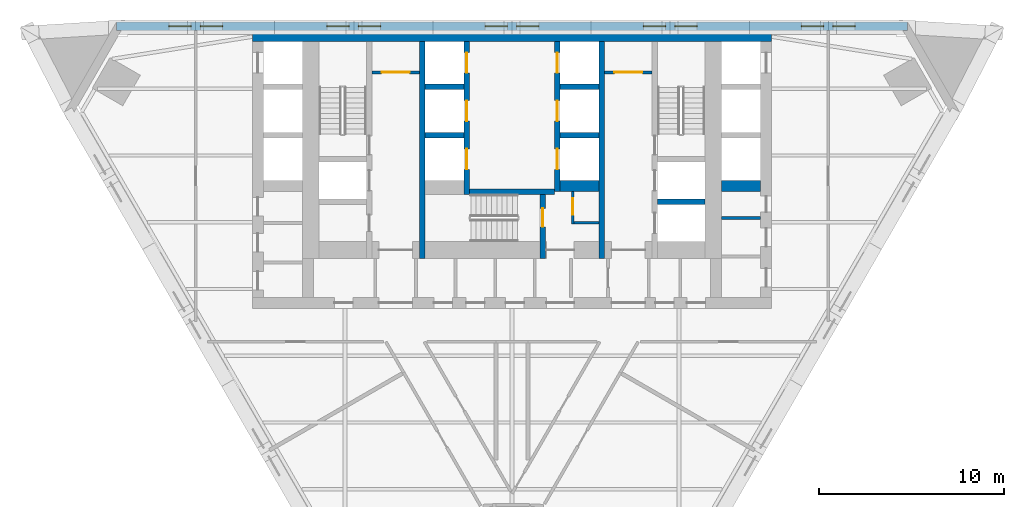
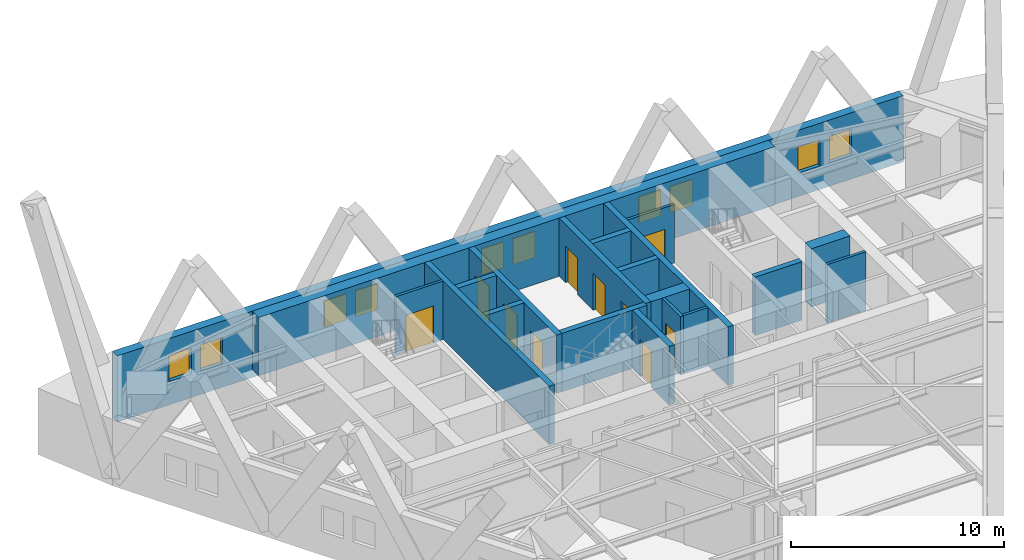
# One storey, part 5 of 7: 20 walls, 10 doors, 10 windows, 20 openings.
"""IFC4 building model written with IfcOpenShell, lengths in metres."""

from ifc_helpers import new_model, si_unit, direction, frame, frame_2d, origin, place, context, subcontext, project, spatial, polyline, rectangle, outline, extrude, material, layer, layer_set, type_object, element, fill, save


model = new_model("IFC4")

# Units and contexts
model_context = context("Model", 3, precision=1e-05, world=origin(), true_north=direction((0.0, 1.0)))
body_context = subcontext(model_context, "Body", "Model", "MODEL_VIEW")
ifc_project = project(units=[si_unit("LENGTHUNIT", "METRE"), si_unit("AREAUNIT", "SQUARE_METRE"), si_unit("VOLUMEUNIT", "CUBIC_METRE"), si_unit("PLANEANGLEUNIT", "RADIAN"), si_unit("MASSUNIT", "GRAM", prefix="KILO")], contexts=[model_context])

# Site, building, storey
site_placement = place(None, origin())
site = spatial("IfcSite", under=ifc_project, at=site_placement, CompositionType="ELEMENT")
building_placement = place(site_placement, origin())
building = spatial("IfcBuilding", under=site, at=building_placement, Name="Aloe Facet Convention Tower", CompositionType="ELEMENT")
storey_placement = place(building_placement, frame((0.0, 0.0, 81.800048828125)))
storey = spatial("IfcBuildingStorey", under=building, at=storey_placement, Name="L19", CompositionType="ELEMENT", Elevation=81.800048828125)

# Wall, opening, door
ifc_material_1 = material(Name="Concrete blockwork partition", Category="masonry")
ifc_layer_1 = layer(ifc_material_1, 0.14990234375)
ifc_layer_set_1 = layer_set([ifc_layer_1], Name="CR-W-PART150")
wall_type_1 = type_object("IfcWallType", Name="CR-W-PART150", PredefinedType="PARTITIONING", material=ifc_layer_set_1)
wall_1_placement = place(storey_placement, frame((72.449951171875, 132.27490234375, 0.0), z_axis=(0.0, 0.0, 1.0), x_axis=(1.0, 0.0, 0.0)))
wall_1 = element("IfcWall", 1, at=wall_1_placement, inside=storey, type_object=wall_type_1, Name="Core partition L19-015", PredefinedType="PARTITIONING", context=body_context, shape_type="SweptSolid", body=[
    extrude(rectangle(XDim=2.550048828125, YDim=0.14990234375, at=frame_2d((1.27490234375, 0.0))), origin(), (0.0, 0.0, 1.0), 3.349853515625),
])
opening_1_placement = place(wall_1_placement, frame((0.52490234375, 0.0, 0.0)))
opening_1 = element("IfcOpeningElement", 2, at=opening_1_placement, cuts=wall_1, Name="Opening L19-CD22", PredefinedType="OPENING", context=body_context, shape_type="SweptSolid", body=[
    extrude(rectangle(XDim=1.5, YDim=2.10009765625, at=frame_2d((0.75, 1.050048828125))), frame((0.0, 0.0849609375, 0.0), z_axis=(0.0, -1.0, 0.0), x_axis=(1.0, 0.0, 0.0)), (0.0, 0.0, 1.0), 0.169921875),
])
ifc_material_2 = material(Name="Steel fire-resisting door set FD60", Category="steel")
door_type_1 = type_object("IfcDoorType", Name="CR-D-REFUGE-1500-FD60-DD", OperationType="DOUBLE_DOOR_DOUBLE_SWING", PredefinedType="DOOR", material=ifc_material_2)
door_1_placement = place(opening_1_placement, origin())
door_1 = element("IfcDoor", 3, at=door_1_placement, inside=storey, type_object=door_type_1, Name="Core door L19-CD22", OperationType="DOUBLE_DOOR_DOUBLE_SWING", OverallHeight=2.10009765625, OverallWidth=1.5, PredefinedType="DOOR", context=body_context, shape_type="SweptSolid", body=[
    extrude(rectangle(XDim=1.5, YDim=2.10009765625, at=frame_2d((0.75, 1.050048828125))), frame((0.0, 0.02490234375, 0.0), z_axis=(0.0, -1.0, 0.0), x_axis=(1.0, 0.0, 0.0)), (0.0, 0.0, 1.0), 0.050048828125),
])
fill(opening_1, door_1)

wall_2_placement = place(storey_placement, frame((83.27490234375, 125.85009765625, 0.0), z_axis=(0.0, 0.0, 1.0), x_axis=(0.0, -1.0, 0.0)))
wall_2 = element("IfcWall", 4, at=wall_2_placement, inside=storey, type_object=wall_type_1, Name="Core partition L19-036", PredefinedType="PARTITIONING", context=body_context, shape_type="SweptSolid", body=[
    extrude(rectangle(XDim=1.75, YDim=0.14990234375, at=frame_2d((0.875, 0.0))), origin(), (0.0, 0.0, 1.0), 3.349853515625),
])
opening_2_placement = place(wall_2_placement, frame((0.35009765625, 0.0, 0.0)))
opening_2 = element("IfcOpeningElement", 5, at=opening_2_placement, cuts=wall_2, Name="Opening L19-CD20", PredefinedType="OPENING", context=body_context, shape_type="SweptSolid", body=[
    extrude(rectangle(XDim=0.89990234375, YDim=2.10009765625, at=frame_2d((0.449951171875, 1.050048828125))), frame((0.0, 0.0849609375, 0.0), z_axis=(0.0, -1.0, 0.0), x_axis=(1.0, 0.0, 0.0)), (0.0, 0.0, 1.0), 0.169921875),
])
ifc_material_3 = material(Name="Steel fire-resisting door set FD60", Category="steel")
door_type_2 = type_object("IfcDoorType", Name="CR-D-REFUGE-900-FD60-SRIGHT", OperationType="SINGLE_SWING_RIGHT", PredefinedType="DOOR", material=ifc_material_3)
door_2_placement = place(opening_2_placement, origin())
door_2 = element("IfcDoor", 6, at=door_2_placement, inside=storey, type_object=door_type_2, Name="Core door L19-CD20", OperationType="SINGLE_SWING_RIGHT", OverallHeight=2.10009765625, OverallWidth=0.89990234375, PredefinedType="DOOR", context=body_context, shape_type="SweptSolid", body=[
    extrude(rectangle(XDim=0.89990234375, YDim=2.10009765625, at=frame_2d((0.449951171875, 1.050048828125))), frame((0.0, 0.02490234375, 0.0), z_axis=(0.0, -1.0, 0.0), x_axis=(1.0, 0.0, 0.0)), (0.0, 0.0, 1.0), 0.050048828125),
])
fill(opening_2, door_2)

# Wall
wall_3_placement = place(storey_placement, frame((83.35009765625, 124.175048828125, 0.0), z_axis=(0.0, 0.0, 1.0), x_axis=(1.0, 0.0, 0.0)))
element("IfcWall", 7, at=wall_3_placement, inside=storey, type_object=wall_type_1, Name="Core partition L19-037", PredefinedType="PARTITIONING", context=body_context, shape_type="SweptSolid", body=[
    extrude(rectangle(XDim=1.349853515625, YDim=0.14990234375, at=frame_2d((0.6748046875, 0.0))), origin(), (0.0, 0.0, 1.0), 3.349853515625),
])

# Wall, opening, door
wall_4_placement = place(storey_placement, frame((85.0, 132.27490234375, 0.0), z_axis=(0.0, 0.0, 1.0), x_axis=(1.0, 0.0, 0.0)))
wall_4 = element("IfcWall", 8, at=wall_4_placement, inside=storey, type_object=wall_type_1, Name="Core partition L19-039", PredefinedType="PARTITIONING", context=body_context, shape_type="SweptSolid", body=[
    extrude(rectangle(XDim=2.550048828125, YDim=0.14990234375, at=frame_2d((1.27490234375, 0.0))), origin(), (0.0, 0.0, 1.0), 3.349853515625),
])
opening_3_placement = place(wall_4_placement, frame((0.52490234375, 0.0, 0.0)))
opening_3 = element("IfcOpeningElement", 9, at=opening_3_placement, cuts=wall_4, Name="Opening L19-CD21", PredefinedType="OPENING", context=body_context, shape_type="SweptSolid", body=[
    extrude(rectangle(XDim=1.5, YDim=2.10009765625, at=frame_2d((0.75, 1.050048828125))), frame((0.0, 0.0849609375, 0.0), z_axis=(0.0, -1.0, 0.0), x_axis=(1.0, 0.0, 0.0)), (0.0, 0.0, 1.0), 0.169921875),
])
door_3_placement = place(opening_3_placement, origin())
door_3 = element("IfcDoor", 10, at=door_3_placement, inside=storey, type_object=door_type_1, Name="Core door L19-CD21", OperationType="DOUBLE_DOOR_DOUBLE_SWING", OverallHeight=2.10009765625, OverallWidth=1.5, PredefinedType="DOOR", context=body_context, shape_type="SweptSolid", body=[
    extrude(rectangle(XDim=1.5, YDim=2.10009765625, at=frame_2d((0.75, 1.050048828125))), frame((0.0, 0.02490234375, 0.0), z_axis=(0.0, -1.0, 0.0), x_axis=(1.0, 0.0, 0.0)), (0.0, 0.0, 1.0), 0.050048828125),
])
fill(opening_3, door_3)

# Walls
wall_5_placement = place(storey_placement, frame((91.300048828125, 124.425048828125, 0.0), z_axis=(0.0, 0.0, 1.0), x_axis=(1.0, 0.0, 0.0)))
element("IfcWall", 11, at=wall_5_placement, inside=storey, type_object=wall_type_1, Name="Core partition L19-053", PredefinedType="PARTITIONING", context=body_context, shape_type="SweptSolid", body=[
    extrude(rectangle(XDim=2.099853515625, YDim=0.14990234375, at=frame_2d((1.0498046875, 0.0))), origin(), (0.0, 0.0, 1.0), 3.349853515625),
])
ifc_material_4 = material(Name="Concrete C70/85", Category="concrete")
ifc_layer_2 = layer(ifc_material_4, 0.300048828125)
ifc_layer_set_2 = layer_set([ifc_layer_2], Name="CR-W-RC300-C7085")
wall_type_2 = type_object("IfcWallType", Name="CR-W-RC300-C7085", PredefinedType="SOLIDWALL", material=ifc_layer_set_2)
wall_6_placement = place(storey_placement, frame((75.14990234375, 133.949951171875, 0.0), z_axis=(0.0, 0.0, 1.0), x_axis=(0.0, -1.0, 0.0)))
element("IfcWall", 12, at=wall_6_placement, inside=storey, type_object=wall_type_2, Name="Core wall L19-019", PredefinedType="SOLIDWALL", context=body_context, shape_type="SweptSolid", body=[
    extrude(rectangle(XDim=11.699951171875, YDim=0.300048828125, at=frame_2d((5.85009765625, 0.0))), origin(), (0.0, 0.0, 1.0), 3.349853515625),
])
for number, where, z_axis, x_axis, name in (
    (13, (75.300048828125, 131.5, 0.0), (0.0, 0.0, 1.0), (1.0, 0.0, 0.0), "Core wall L19-020"),
    (14, (75.300048828125, 128.89990234375, 0.0), (0.0, 0.0, 1.0), (1.0, 0.0, 0.0), "Core wall L19-021"),
):
    element("IfcWall", number, at=place(storey_placement, frame(where, z_axis=z_axis, x_axis=x_axis)), inside=storey, type_object=wall_type_2, Name=name, PredefinedType="SOLIDWALL", context=body_context, shape_type="SweptSolid", body=[
        extrude(rectangle(XDim=2.099853515625, YDim=0.300048828125, at=frame_2d((1.0498046875, 0.0))), origin(), (0.0, 0.0, 1.0), 3.349853515625),
    ])

# Wall, openings, doors
wall_7_placement = place(storey_placement, frame((77.550048828125, 133.949951171875, 0.0), z_axis=(0.0, 0.0, 1.0), x_axis=(0.0, -1.0, 0.0)))
wall_7 = element("IfcWall", 15, at=wall_7_placement, inside=storey, type_object=wall_type_2, Name="Core wall L19-025", PredefinedType="SOLIDWALL", context=body_context, shape_type="SweptSolid", body=[
    extrude(rectangle(XDim=8.25, YDim=0.300048828125, at=frame_2d((4.125, 0.0))), origin(), (0.0, 0.0, 1.0), 3.349853515625),
])
opening_4_placement = place(wall_7_placement, frame((0.60009765625, 0.0, 0.0)))
opening_4 = element("IfcOpeningElement", 16, at=opening_4_placement, cuts=wall_7, Name="Opening LD-A1-L19", PredefinedType="OPENING", context=body_context, shape_type="SweptSolid", body=[
    extrude(rectangle(XDim=1.10009765625, YDim=2.10009765625, at=frame_2d((0.550048828125, 1.050048828125))), frame((0.0, 0.16015625, 0.0), z_axis=(0.0, -1.0, 0.0), x_axis=(1.0, 0.0, 0.0)), (0.0, 0.0, 1.0), 0.320068359375),
])
opening_5_placement = place(wall_7_placement, frame((3.199951171875, 0.0, 0.0)))
opening_5 = element("IfcOpeningElement", 17, at=opening_5_placement, cuts=wall_7, Name="Opening LD-A2-L19", PredefinedType="OPENING", context=body_context, shape_type="SweptSolid", body=[
    extrude(rectangle(XDim=1.10009765625, YDim=2.10009765625, at=frame_2d((0.550048828125, 1.050048828125))), frame((0.0, 0.16015625, 0.0), z_axis=(0.0, -1.0, 0.0), x_axis=(1.0, 0.0, 0.0)), (0.0, 0.0, 1.0), 0.320068359375),
])
opening_6_placement = place(wall_7_placement, frame((5.800048828125, 0.0, 0.0)))
opening_6 = element("IfcOpeningElement", 18, at=opening_6_placement, cuts=wall_7, Name="Opening LD-A3-L19", PredefinedType="OPENING", context=body_context, shape_type="SweptSolid", body=[
    extrude(rectangle(XDim=1.10009765625, YDim=2.10009765625, at=frame_2d((0.550048828125, 1.050048828125))), frame((0.0, 0.16015625, 0.0), z_axis=(0.0, -1.0, 0.0), x_axis=(1.0, 0.0, 0.0)), (0.0, 0.0, 1.0), 0.320068359375),
])
ifc_material_5 = material(Name="Stainless steel sliding landing door", Category="steel")
door_type_3 = type_object("IfcDoorType", Name="CR-LD-1100-FD60-RIGHT", OperationType="SLIDING_TO_RIGHT", PredefinedType="DOOR", material=ifc_material_5)
door_4_placement = place(opening_4_placement, origin())
door_4 = element("IfcDoor", 19, at=door_4_placement, inside=storey, type_object=door_type_3, Name="Landing door A1 L19", OperationType="SLIDING_TO_RIGHT", OverallHeight=2.10009765625, OverallWidth=1.10009765625, PredefinedType="DOOR", context=body_context, shape_type="SweptSolid", body=[
    extrude(rectangle(XDim=1.10009765625, YDim=2.10009765625, at=frame_2d((0.550048828125, 1.050048828125))), frame((0.0, 0.02490234375, 0.0), z_axis=(0.0, -1.0, 0.0), x_axis=(1.0, 0.0, 0.0)), (0.0, 0.0, 1.0), 0.050048828125),
])
fill(opening_4, door_4)
door_5_placement = place(opening_5_placement, origin())
door_5 = element("IfcDoor", 20, at=door_5_placement, inside=storey, type_object=door_type_3, Name="Landing door A2 L19", OperationType="SLIDING_TO_RIGHT", OverallHeight=2.10009765625, OverallWidth=1.10009765625, PredefinedType="DOOR", context=body_context, shape_type="SweptSolid", body=[
    extrude(rectangle(XDim=1.10009765625, YDim=2.10009765625, at=frame_2d((0.550048828125, 1.050048828125))), frame((0.0, 0.02490234375, 0.0), z_axis=(0.0, -1.0, 0.0), x_axis=(1.0, 0.0, 0.0)), (0.0, 0.0, 1.0), 0.050048828125),
])
fill(opening_5, door_5)
door_6_placement = place(opening_6_placement, origin())
door_6 = element("IfcDoor", 21, at=door_6_placement, inside=storey, type_object=door_type_3, Name="Landing door A3 L19", OperationType="SLIDING_TO_RIGHT", OverallHeight=2.10009765625, OverallWidth=1.10009765625, PredefinedType="DOOR", context=body_context, shape_type="SweptSolid", body=[
    extrude(rectangle(XDim=1.10009765625, YDim=2.10009765625, at=frame_2d((0.550048828125, 1.050048828125))), frame((0.0, 0.02490234375, 0.0), z_axis=(0.0, -1.0, 0.0), x_axis=(1.0, 0.0, 0.0)), (0.0, 0.0, 1.0), 0.050048828125),
])
fill(opening_6, door_6)

# Wall
wall_8_placement = place(storey_placement, frame((77.699951171875, 125.85009765625, 0.0), z_axis=(0.0, 0.0, 1.0), x_axis=(1.0, 0.0, 0.0)))
element("IfcWall", 22, at=wall_8_placement, inside=storey, type_object=wall_type_2, Name="Core wall L19-026", PredefinedType="SOLIDWALL", context=body_context, shape_type="SweptSolid", body=[
    extrude(rectangle(XDim=4.60009765625, YDim=0.300048828125, at=frame_2d((2.300048828125, 0.0))), origin(), (0.0, 0.0, 1.0), 3.349853515625),
])

# Wall, opening, door
wall_9_placement = place(storey_placement, frame((81.64990234375, 125.699951171875, 0.0), z_axis=(0.0, 0.0, 1.0), x_axis=(0.0, -1.0, 0.0)))
wall_9 = element("IfcWall", 23, at=wall_9_placement, inside=storey, type_object=wall_type_2, Name="Core wall L19-029", PredefinedType="SOLIDWALL", context=body_context, shape_type="SweptSolid", body=[
    extrude(rectangle(XDim=3.449951171875, YDim=0.300048828125, at=frame_2d((1.72509765625, 0.0))), origin(), (0.0, 0.0, 1.0), 3.349853515625),
])
opening_7_placement = place(wall_9_placement, frame((0.75, 0.0, 0.0)))
opening_7 = element("IfcOpeningElement", 24, at=opening_7_placement, cuts=wall_9, Name="Opening L19-CD33", PredefinedType="OPENING", context=body_context, shape_type="SweptSolid", body=[
    extrude(rectangle(XDim=1.0, YDim=2.10009765625, at=frame_2d((0.5, 1.050048828125))), frame((0.0, 0.16015625, 0.0), z_axis=(0.0, -1.0, 0.0), x_axis=(1.0, 0.0, 0.0)), (0.0, 0.0, 1.0), 0.320068359375),
])
ifc_material_6 = material(Name="Steel fire-resisting door set FD120", Category="steel")
door_type_4 = type_object("IfcDoorType", Name="CR-D-STAIR-1000-FD120-SLEFT", OperationType="SINGLE_SWING_LEFT", PredefinedType="DOOR", material=ifc_material_6)
door_7_placement = place(opening_7_placement, origin())
door_7 = element("IfcDoor", 25, at=door_7_placement, inside=storey, type_object=door_type_4, Name="Core door L19-CD33", OperationType="SINGLE_SWING_LEFT", OverallHeight=2.10009765625, OverallWidth=1.0, PredefinedType="DOOR", context=body_context, shape_type="SweptSolid", body=[
    extrude(rectangle(XDim=1.0, YDim=2.10009765625, at=frame_2d((0.5, 1.050048828125))), frame((0.0, 0.02490234375, 0.0), z_axis=(0.0, -1.0, 0.0), x_axis=(1.0, 0.0, 0.0)), (0.0, 0.0, 1.0), 0.050048828125),
])
fill(opening_7, door_7)

# Wall, openings, doors
wall_10_placement = place(storey_placement, frame((82.449951171875, 133.949951171875, 0.0), z_axis=(0.0, 0.0, 1.0), x_axis=(0.0, -1.0, 0.0)))
wall_10 = element("IfcWall", 26, at=wall_10_placement, inside=storey, type_object=wall_type_2, Name="Core wall L19-031", PredefinedType="SOLIDWALL", context=body_context, shape_type="SweptSolid", body=[
    extrude(rectangle(XDim=8.099853515625, YDim=0.300048828125, at=frame_2d((4.0498046875, 0.0))), origin(), (0.0, 0.0, 1.0), 3.349853515625),
])
opening_8_placement = place(wall_10_placement, frame((0.60009765625, 0.0, 0.0)))
opening_8 = element("IfcOpeningElement", 27, at=opening_8_placement, cuts=wall_10, Name="Opening LD-A4-L19", PredefinedType="OPENING", context=body_context, shape_type="SweptSolid", body=[
    extrude(rectangle(XDim=1.10009765625, YDim=2.10009765625, at=frame_2d((0.550048828125, 1.050048828125))), frame((0.0, 0.16015625, 0.0), z_axis=(0.0, -1.0, 0.0), x_axis=(1.0, 0.0, 0.0)), (0.0, 0.0, 1.0), 0.320068359375),
])
opening_9_placement = place(wall_10_placement, frame((3.199951171875, 0.0, 0.0)))
opening_9 = element("IfcOpeningElement", 28, at=opening_9_placement, cuts=wall_10, Name="Opening LD-A5-L19", PredefinedType="OPENING", context=body_context, shape_type="SweptSolid", body=[
    extrude(rectangle(XDim=1.10009765625, YDim=2.10009765625, at=frame_2d((0.550048828125, 1.050048828125))), frame((0.0, 0.16015625, 0.0), z_axis=(0.0, -1.0, 0.0), x_axis=(1.0, 0.0, 0.0)), (0.0, 0.0, 1.0), 0.320068359375),
])
opening_10_placement = place(wall_10_placement, frame((5.800048828125, 0.0, 0.0)))
opening_10 = element("IfcOpeningElement", 29, at=opening_10_placement, cuts=wall_10, Name="Opening LD-A6-L19", PredefinedType="OPENING", context=body_context, shape_type="SweptSolid", body=[
    extrude(rectangle(XDim=1.10009765625, YDim=2.10009765625, at=frame_2d((0.550048828125, 1.050048828125))), frame((0.0, 0.16015625, 0.0), z_axis=(0.0, -1.0, 0.0), x_axis=(1.0, 0.0, 0.0)), (0.0, 0.0, 1.0), 0.320068359375),
])
ifc_material_7 = material(Name="Stainless steel sliding landing door", Category="steel")
door_type_5 = type_object("IfcDoorType", Name="CR-LD-1100-FD60-_LEFT", OperationType="SLIDING_TO_LEFT", PredefinedType="DOOR", material=ifc_material_7)
door_8_placement = place(opening_8_placement, origin())
door_8 = element("IfcDoor", 30, at=door_8_placement, inside=storey, type_object=door_type_5, Name="Landing door A4 L19", OperationType="SLIDING_TO_LEFT", OverallHeight=2.10009765625, OverallWidth=1.10009765625, PredefinedType="DOOR", context=body_context, shape_type="SweptSolid", body=[
    extrude(rectangle(XDim=1.10009765625, YDim=2.10009765625, at=frame_2d((0.550048828125, 1.050048828125))), frame((0.0, 0.02490234375, 0.0), z_axis=(0.0, -1.0, 0.0), x_axis=(1.0, 0.0, 0.0)), (0.0, 0.0, 1.0), 0.050048828125),
])
fill(opening_8, door_8)
door_9_placement = place(opening_9_placement, origin())
door_9 = element("IfcDoor", 31, at=door_9_placement, inside=storey, type_object=door_type_5, Name="Landing door A5 L19", OperationType="SLIDING_TO_LEFT", OverallHeight=2.10009765625, OverallWidth=1.10009765625, PredefinedType="DOOR", context=body_context, shape_type="SweptSolid", body=[
    extrude(rectangle(XDim=1.10009765625, YDim=2.10009765625, at=frame_2d((0.550048828125, 1.050048828125))), frame((0.0, 0.02490234375, 0.0), z_axis=(0.0, -1.0, 0.0), x_axis=(1.0, 0.0, 0.0)), (0.0, 0.0, 1.0), 0.050048828125),
])
fill(opening_9, door_9)
door_10_placement = place(opening_10_placement, origin())
door_10 = element("IfcDoor", 32, at=door_10_placement, inside=storey, type_object=door_type_5, Name="Landing door A6 L19", OperationType="SLIDING_TO_LEFT", OverallHeight=2.10009765625, OverallWidth=1.10009765625, PredefinedType="DOOR", context=body_context, shape_type="SweptSolid", body=[
    extrude(rectangle(XDim=1.10009765625, YDim=2.10009765625, at=frame_2d((0.550048828125, 1.050048828125))), frame((0.0, 0.02490234375, 0.0), z_axis=(0.0, -1.0, 0.0), x_axis=(1.0, 0.0, 0.0)), (0.0, 0.0, 1.0), 0.050048828125),
])
fill(opening_10, door_10)

# Walls
for number, where, z_axis, x_axis, name in (
    (33, (82.60009765625, 131.5, 0.0), (0.0, 0.0, 1.0), (1.0, 0.0, 0.0), "Core wall L19-032"),
    (34, (82.60009765625, 128.89990234375, 0.0), (0.0, 0.0, 1.0), (1.0, 0.0, 0.0), "Core wall L19-033"),
):
    element("IfcWall", number, at=place(storey_placement, frame(where, z_axis=z_axis, x_axis=x_axis)), inside=storey, type_object=wall_type_2, Name=name, PredefinedType="SOLIDWALL", context=body_context, shape_type="SweptSolid", body=[
        extrude(rectangle(XDim=2.099853515625, YDim=0.300048828125, at=frame_2d((1.0498046875, 0.0))), origin(), (0.0, 0.0, 1.0), 3.349853515625),
    ])
wall_11_placement = place(storey_placement, frame((84.85009765625, 133.949951171875, 0.0), z_axis=(0.0, 0.0, 1.0), x_axis=(0.0, -1.0, 0.0)))
element("IfcWall", 35, at=wall_11_placement, inside=storey, type_object=wall_type_2, Name="Core wall L19-038", PredefinedType="SOLIDWALL", context=body_context, shape_type="SweptSolid", body=[
    extrude(rectangle(XDim=11.699951171875, YDim=0.300048828125, at=frame_2d((5.85009765625, 0.0))), origin(), (0.0, 0.0, 1.0), 3.349853515625),
])
wall_12_placement = place(storey_placement, frame((87.85009765625, 125.300048828125, 0.0), z_axis=(0.0, 0.0, 1.0), x_axis=(1.0, 0.0, 0.0)))
element("IfcWall", 36, at=wall_12_placement, inside=storey, type_object=wall_type_2, Name="Core wall L19-045", PredefinedType="SOLIDWALL", context=body_context, shape_type="SweptSolid", body=[
    extrude(rectangle(XDim=2.5498046875, YDim=0.300048828125, at=frame_2d((1.27490234375, 0.0))), origin(), (0.0, 0.0, 1.0), 3.349853515625),
])
ifc_material_8 = material(Name="Concrete C70/85", Category="concrete")
ifc_layer_3 = layer(ifc_material_8, 0.60009765625)
ifc_layer_set_3 = layer_set([ifc_layer_3], Name="CR-W-RC600-C7085")
wall_type_3 = type_object("IfcWallType", Name="CR-W-RC600-C7085", PredefinedType="SOLIDWALL", material=ifc_layer_set_3)
wall_13_placement = place(storey_placement, frame((66.0, 134.25, 0.0), z_axis=(0.0, 0.0, 1.0), x_axis=(1.0, 0.0, 0.0)))
element("IfcWall", 37, at=wall_13_placement, inside=storey, type_object=wall_type_3, Name="Core wall L19-001", PredefinedType="SOLIDWALL", context=body_context, shape_type="SweptSolid", body=[
    extrude(rectangle(XDim=28.0, YDim=0.60009765625, at=frame_2d((14.0, 0.0))), origin(), (0.0, 0.0, 1.0), 3.349853515625),
])
for number, where, z_axis, x_axis, name in (
    (38, (82.60009765625, 126.14990234375, 0.0), (0.0, 0.0, 1.0), (1.0, 0.0, 0.0), "Core wall L19-034"),
    (39, (91.300048828125, 126.14990234375, 0.0), (0.0, 0.0, 1.0), (1.0, 0.0, 0.0), "Core wall L19-052"),
):
    element("IfcWall", number, at=place(storey_placement, frame(where, z_axis=z_axis, x_axis=x_axis)), inside=storey, type_object=wall_type_3, Name=name, PredefinedType="SOLIDWALL", context=body_context, shape_type="SweptSolid", body=[
        extrude(rectangle(XDim=2.099853515625, YDim=0.60009765625, at=frame_2d((1.0498046875, 0.0))), origin(), (0.0, 0.0, 1.0), 3.349853515625),
    ])

# Wall, openings, windows
ifc_material_9 = material(Name="Precast concrete C40/50", Category="concrete")
ifc_layer_4 = layer(ifc_material_9, 0.449951171875)
ifc_layer_set_4 = layer_set([ifc_layer_4], Name="EV-WALL-STONE")
wall_type_4 = type_object("IfcWallType", Name="EV-WALL-STONE", PredefinedType="SOLIDWALL", material=ifc_layer_set_4)
wall_14_placement = place(storey_placement, frame((101.321533203125, 134.77490234375, -0.449951171875), z_axis=(0.0, 0.0, 1.0), x_axis=(-1.0, 0.0, 0.0)))
wall_14 = element("IfcWall", 40, at=wall_14_placement, inside=storey, type_object=wall_type_4, Name="EW-L19-N01", PredefinedType="SOLIDWALL", context=body_context, shape_type="SweptSolid", body=[
    extrude(outline(polyline([(42.64306640625, 0.0), (42.64306640625, 3.7998046875), (0.0, 3.7998046875), (0.0, 0.0), (42.64306640625, 0.0)])), frame((0.0, 0.22509765625, 0.0), z_axis=(0.0, -1.0, 0.0), x_axis=(1.0, 0.0, 0.0)), (0.0, 0.0, 1.0), 0.449951171875),
])
opening_11_placement = place(wall_14_placement, frame((2.814208984375, 0.0, 1.35009765625)))
opening_11 = element("IfcOpeningElement", 41, at=opening_11_placement, cuts=wall_14, Name="Opening W-L19-N01", PredefinedType="OPENING", context=body_context, shape_type="SweptSolid", body=[
    extrude(rectangle(XDim=1.199951171875, YDim=1.5, at=frame_2d((0.60009765625, 0.75))), frame((0.0, 0.23486328125, 0.0), z_axis=(0.0, -1.0, 0.0), x_axis=(1.0, 0.0, 0.0)), (0.0, 0.0, 1.0), 0.469970703125),
])
opening_12_placement = place(wall_14_placement, frame((4.514404296875, 0.0, 1.35009765625)))
opening_12 = element("IfcOpeningElement", 42, at=opening_12_placement, cuts=wall_14, Name="Opening W-L19-N02", PredefinedType="OPENING", context=body_context, shape_type="SweptSolid", body=[
    extrude(rectangle(XDim=1.199951171875, YDim=1.5, at=frame_2d((0.60009765625, 0.75))), frame((0.0, 0.23486328125, 0.0), z_axis=(0.0, -1.0, 0.0), x_axis=(1.0, 0.0, 0.0)), (0.0, 0.0, 1.0), 0.469970703125),
])
opening_13_placement = place(wall_14_placement, frame((11.343017578125, 0.0, 1.35009765625)))
opening_13 = element("IfcOpeningElement", 43, at=opening_13_placement, cuts=wall_14, Name="Opening W-L19-N03", PredefinedType="OPENING", context=body_context, shape_type="SweptSolid", body=[
    extrude(rectangle(XDim=1.199951171875, YDim=1.5, at=frame_2d((0.60009765625, 0.75))), frame((0.0, 0.23486328125, 0.0), z_axis=(0.0, -1.0, 0.0), x_axis=(1.0, 0.0, 0.0)), (0.0, 0.0, 1.0), 0.469970703125),
])
opening_14_placement = place(wall_14_placement, frame((13.04296875, 0.0, 1.35009765625)))
opening_14 = element("IfcOpeningElement", 44, at=opening_14_placement, cuts=wall_14, Name="Opening W-L19-N04", PredefinedType="OPENING", context=body_context, shape_type="SweptSolid", body=[
    extrude(rectangle(XDim=1.199951171875, YDim=1.5, at=frame_2d((0.60009765625, 0.75))), frame((0.0, 0.23486328125, 0.0), z_axis=(0.0, -1.0, 0.0), x_axis=(1.0, 0.0, 0.0)), (0.0, 0.0, 1.0), 0.469970703125),
])
opening_15_placement = place(wall_14_placement, frame((19.87158203125, 0.0, 1.35009765625)))
opening_15 = element("IfcOpeningElement", 45, at=opening_15_placement, cuts=wall_14, Name="Opening W-L19-N05", PredefinedType="OPENING", context=body_context, shape_type="SweptSolid", body=[
    extrude(rectangle(XDim=1.199951171875, YDim=1.5, at=frame_2d((0.60009765625, 0.75))), frame((0.0, 0.23486328125, 0.0), z_axis=(0.0, -1.0, 0.0), x_axis=(1.0, 0.0, 0.0)), (0.0, 0.0, 1.0), 0.469970703125),
])
opening_16_placement = place(wall_14_placement, frame((21.571533203125, 0.0, 1.35009765625)))
opening_16 = element("IfcOpeningElement", 46, at=opening_16_placement, cuts=wall_14, Name="Opening W-L19-N06", PredefinedType="OPENING", context=body_context, shape_type="SweptSolid", body=[
    extrude(rectangle(XDim=1.199951171875, YDim=1.5, at=frame_2d((0.60009765625, 0.75))), frame((0.0, 0.23486328125, 0.0), z_axis=(0.0, -1.0, 0.0), x_axis=(1.0, 0.0, 0.0)), (0.0, 0.0, 1.0), 0.469970703125),
])
opening_17_placement = place(wall_14_placement, frame((28.400146484375, 0.0, 1.35009765625)))
opening_17 = element("IfcOpeningElement", 47, at=opening_17_placement, cuts=wall_14, Name="Opening W-L19-N07", PredefinedType="OPENING", context=body_context, shape_type="SweptSolid", body=[
    extrude(rectangle(XDim=1.199951171875, YDim=1.5, at=frame_2d((0.60009765625, 0.75))), frame((0.0, 0.23486328125, 0.0), z_axis=(0.0, -1.0, 0.0), x_axis=(1.0, 0.0, 0.0)), (0.0, 0.0, 1.0), 0.469970703125),
])
opening_18_placement = place(wall_14_placement, frame((30.10009765625, 0.0, 1.35009765625)))
opening_18 = element("IfcOpeningElement", 48, at=opening_18_placement, cuts=wall_14, Name="Opening W-L19-N08", PredefinedType="OPENING", context=body_context, shape_type="SweptSolid", body=[
    extrude(rectangle(XDim=1.199951171875, YDim=1.5, at=frame_2d((0.60009765625, 0.75))), frame((0.0, 0.23486328125, 0.0), z_axis=(0.0, -1.0, 0.0), x_axis=(1.0, 0.0, 0.0)), (0.0, 0.0, 1.0), 0.469970703125),
])
opening_19_placement = place(wall_14_placement, frame((36.9287109375, 0.0, 1.35009765625)))
opening_19 = element("IfcOpeningElement", 49, at=opening_19_placement, cuts=wall_14, Name="Opening W-L19-N09", PredefinedType="OPENING", context=body_context, shape_type="SweptSolid", body=[
    extrude(rectangle(XDim=1.199951171875, YDim=1.5, at=frame_2d((0.60009765625, 0.75))), frame((0.0, 0.23486328125, 0.0), z_axis=(0.0, -1.0, 0.0), x_axis=(1.0, 0.0, 0.0)), (0.0, 0.0, 1.0), 0.469970703125),
])
opening_20_placement = place(wall_14_placement, frame((38.628662109375, 0.0, 1.35009765625)))
opening_20 = element("IfcOpeningElement", 50, at=opening_20_placement, cuts=wall_14, Name="Opening W-L19-N10", PredefinedType="OPENING", context=body_context, shape_type="SweptSolid", body=[
    extrude(rectangle(XDim=1.199951171875, YDim=1.5, at=frame_2d((0.60009765625, 0.75))), frame((0.0, 0.23486328125, 0.0), z_axis=(0.0, -1.0, 0.0), x_axis=(1.0, 0.0, 0.0)), (0.0, 0.0, 1.0), 0.469970703125),
])
ifc_material_10 = material(Name="Aluminium frame, clear double glazing", Category="aluminium")
window_type = type_object("IfcWindowType", Name="EV-WIN-H12", PartitioningType="SINGLE_PANEL", PredefinedType="WINDOW", material=ifc_material_10)
window_1_placement = place(opening_11_placement, origin())
window_1 = element("IfcWindow", 51, at=window_1_placement, inside=storey, type_object=window_type, Name="W-L19-N01", OverallHeight=1.5, OverallWidth=1.199951171875, PartitioningType="SINGLE_PANEL", PredefinedType="WINDOW", context=body_context, shape_type="SweptSolid", body=[
    extrude(rectangle(XDim=1.199951171875, YDim=1.5, at=frame_2d((0.60009765625, 0.75))), frame((0.0, 0.030029296875, 0.0), z_axis=(0.0, -1.0, 0.0), x_axis=(1.0, 0.0, 0.0)), (0.0, 0.0, 1.0), 0.06005859375),
])
fill(opening_11, window_1)
window_2_placement = place(opening_12_placement, origin())
window_2 = element("IfcWindow", 52, at=window_2_placement, inside=storey, type_object=window_type, Name="W-L19-N02", OverallHeight=1.5, OverallWidth=1.199951171875, PartitioningType="SINGLE_PANEL", PredefinedType="WINDOW", context=body_context, shape_type="SweptSolid", body=[
    extrude(rectangle(XDim=1.199951171875, YDim=1.5, at=frame_2d((0.60009765625, 0.75))), frame((0.0, 0.030029296875, 0.0), z_axis=(0.0, -1.0, 0.0), x_axis=(1.0, 0.0, 0.0)), (0.0, 0.0, 1.0), 0.06005859375),
])
fill(opening_12, window_2)
window_3_placement = place(opening_13_placement, origin())
window_3 = element("IfcWindow", 53, at=window_3_placement, inside=storey, type_object=window_type, Name="W-L19-N03", OverallHeight=1.5, OverallWidth=1.199951171875, PartitioningType="SINGLE_PANEL", PredefinedType="WINDOW", context=body_context, shape_type="SweptSolid", body=[
    extrude(rectangle(XDim=1.199951171875, YDim=1.5, at=frame_2d((0.60009765625, 0.75))), frame((0.0, 0.030029296875, 0.0), z_axis=(0.0, -1.0, 0.0), x_axis=(1.0, 0.0, 0.0)), (0.0, 0.0, 1.0), 0.06005859375),
])
fill(opening_13, window_3)
window_4_placement = place(opening_14_placement, origin())
window_4 = element("IfcWindow", 54, at=window_4_placement, inside=storey, type_object=window_type, Name="W-L19-N04", OverallHeight=1.5, OverallWidth=1.199951171875, PartitioningType="SINGLE_PANEL", PredefinedType="WINDOW", context=body_context, shape_type="SweptSolid", body=[
    extrude(rectangle(XDim=1.199951171875, YDim=1.5, at=frame_2d((0.60009765625, 0.75))), frame((0.0, 0.030029296875, 0.0), z_axis=(0.0, -1.0, 0.0), x_axis=(1.0, 0.0, 0.0)), (0.0, 0.0, 1.0), 0.06005859375),
])
fill(opening_14, window_4)
window_5_placement = place(opening_15_placement, origin())
window_5 = element("IfcWindow", 55, at=window_5_placement, inside=storey, type_object=window_type, Name="W-L19-N05", OverallHeight=1.5, OverallWidth=1.199951171875, PartitioningType="SINGLE_PANEL", PredefinedType="WINDOW", context=body_context, shape_type="SweptSolid", body=[
    extrude(rectangle(XDim=1.199951171875, YDim=1.5, at=frame_2d((0.60009765625, 0.75))), frame((0.0, 0.030029296875, 0.0), z_axis=(0.0, -1.0, 0.0), x_axis=(1.0, 0.0, 0.0)), (0.0, 0.0, 1.0), 0.06005859375),
])
fill(opening_15, window_5)
window_6_placement = place(opening_16_placement, origin())
window_6 = element("IfcWindow", 56, at=window_6_placement, inside=storey, type_object=window_type, Name="W-L19-N06", OverallHeight=1.5, OverallWidth=1.199951171875, PartitioningType="SINGLE_PANEL", PredefinedType="WINDOW", context=body_context, shape_type="SweptSolid", body=[
    extrude(rectangle(XDim=1.199951171875, YDim=1.5, at=frame_2d((0.60009765625, 0.75))), frame((0.0, 0.030029296875, 0.0), z_axis=(0.0, -1.0, 0.0), x_axis=(1.0, 0.0, 0.0)), (0.0, 0.0, 1.0), 0.06005859375),
])
fill(opening_16, window_6)
window_7_placement = place(opening_17_placement, origin())
window_7 = element("IfcWindow", 57, at=window_7_placement, inside=storey, type_object=window_type, Name="W-L19-N07", OverallHeight=1.5, OverallWidth=1.199951171875, PartitioningType="SINGLE_PANEL", PredefinedType="WINDOW", context=body_context, shape_type="SweptSolid", body=[
    extrude(rectangle(XDim=1.199951171875, YDim=1.5, at=frame_2d((0.60009765625, 0.75))), frame((0.0, 0.030029296875, 0.0), z_axis=(0.0, -1.0, 0.0), x_axis=(1.0, 0.0, 0.0)), (0.0, 0.0, 1.0), 0.06005859375),
])
fill(opening_17, window_7)
window_8_placement = place(opening_18_placement, origin())
window_8 = element("IfcWindow", 58, at=window_8_placement, inside=storey, type_object=window_type, Name="W-L19-N08", OverallHeight=1.5, OverallWidth=1.199951171875, PartitioningType="SINGLE_PANEL", PredefinedType="WINDOW", context=body_context, shape_type="SweptSolid", body=[
    extrude(rectangle(XDim=1.199951171875, YDim=1.5, at=frame_2d((0.60009765625, 0.75))), frame((0.0, 0.030029296875, 0.0), z_axis=(0.0, -1.0, 0.0), x_axis=(1.0, 0.0, 0.0)), (0.0, 0.0, 1.0), 0.06005859375),
])
fill(opening_18, window_8)
window_9_placement = place(opening_19_placement, origin())
window_9 = element("IfcWindow", 59, at=window_9_placement, inside=storey, type_object=window_type, Name="W-L19-N09", OverallHeight=1.5, OverallWidth=1.199951171875, PartitioningType="SINGLE_PANEL", PredefinedType="WINDOW", context=body_context, shape_type="SweptSolid", body=[
    extrude(rectangle(XDim=1.199951171875, YDim=1.5, at=frame_2d((0.60009765625, 0.75))), frame((0.0, 0.030029296875, 0.0), z_axis=(0.0, -1.0, 0.0), x_axis=(1.0, 0.0, 0.0)), (0.0, 0.0, 1.0), 0.06005859375),
])
fill(opening_19, window_9)
window_10_placement = place(opening_20_placement, origin())
window_10 = element("IfcWindow", 60, at=window_10_placement, inside=storey, type_object=window_type, Name="W-L19-N10", OverallHeight=1.5, OverallWidth=1.199951171875, PartitioningType="SINGLE_PANEL", PredefinedType="WINDOW", context=body_context, shape_type="SweptSolid", body=[
    extrude(rectangle(XDim=1.199951171875, YDim=1.5, at=frame_2d((0.60009765625, 0.75))), frame((0.0, 0.030029296875, 0.0), z_axis=(0.0, -1.0, 0.0), x_axis=(1.0, 0.0, 0.0)), (0.0, 0.0, 1.0), 0.06005859375),
])
fill(opening_20, window_10)

save(model, "model.ifc")
